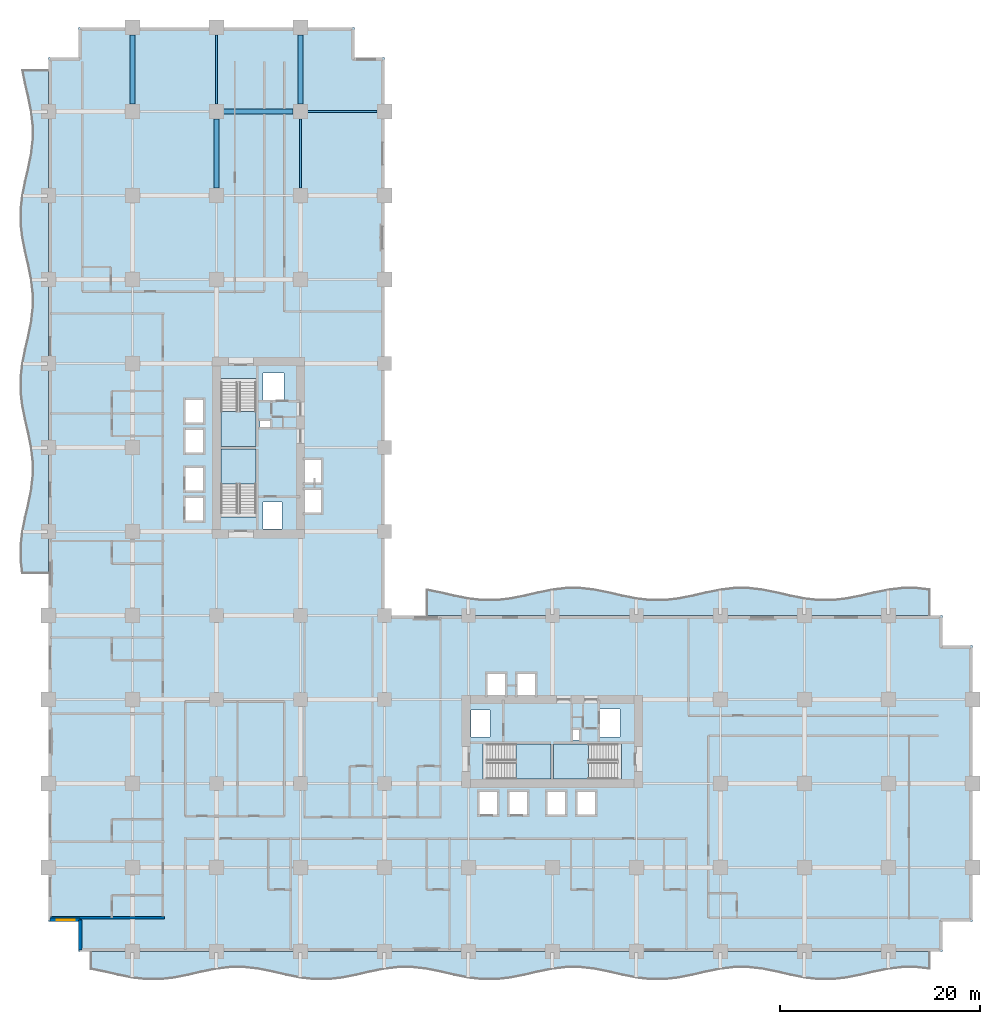
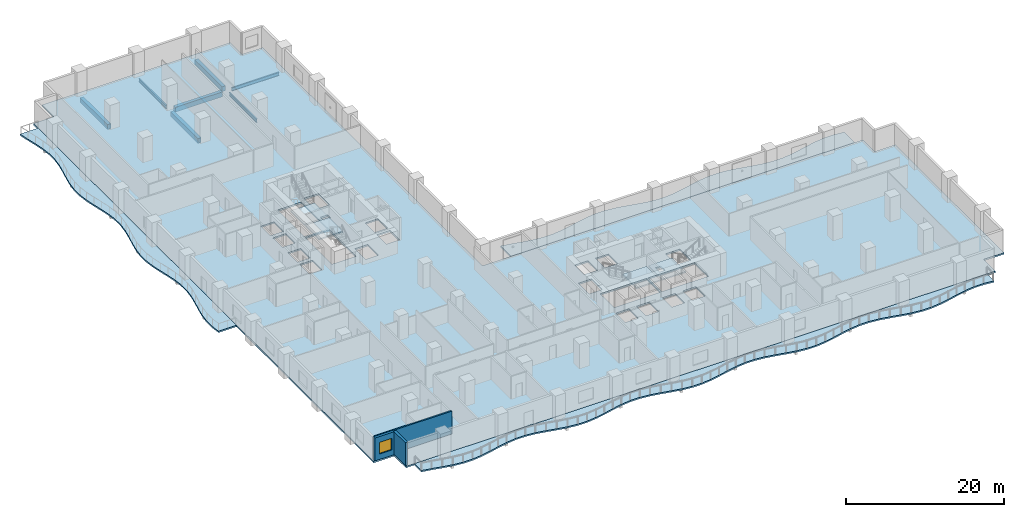
# One storey, part 3 of 20: 8 slabs, 7 beams, 3 walls, 1 window, 1 opening, 4 elements without a shape of their own.
"""IFC4 building model written with IfcOpenShell, lengths in metres."""

from ifc_helpers import new_model, si_unit, direction, frame, frame_2d, origin, origin_2d, place, context, subcontext, project, spatial, polyline, rectangle, i_section, outline, extrude, material, layer, layer_set, material_profile, profile_set, type_object, element, fill, aggregate, save


model = new_model("IFC4")

# Units and contexts
model_context = context("Model", 3, precision=1e-05, world=origin(), true_north=direction((0.0, 1.0)))
body_context = subcontext(model_context, "Body", "Model", "MODEL_VIEW")
ifc_project = project(units=[si_unit("LENGTHUNIT", "METRE"), si_unit("AREAUNIT", "SQUARE_METRE"), si_unit("VOLUMEUNIT", "CUBIC_METRE"), si_unit("PLANEANGLEUNIT", "RADIAN"), si_unit("MASSUNIT", "GRAM", prefix="KILO")], contexts=[model_context])

# Site, building, storey
site_placement = place(None, origin())
site = spatial("IfcSite", under=ifc_project, at=site_placement, CompositionType="ELEMENT")
building_placement = place(site_placement, origin())
building = spatial("IfcBuilding", under=site, at=building_placement, Name="Koriwani Terraces Tower", CompositionType="ELEMENT")
storey_placement = place(building_placement, frame((0.0, 0.0, 73.800048828125)))
storey = spatial("IfcBuildingStorey", under=building, at=storey_placement, Name="L17", CompositionType="ELEMENT", Elevation=73.800048828125)

# Beams
ifc_material_1 = material(Name="Concrete C50/60", Category="concrete")
ifc_material_profile_1 = material_profile(ifc_material_1, rectangle(XDim=0.5, YDim=0.75, at=origin_2d()), Name="Concrete C50/60", Category="LoadBearing")
ifc_profile_set_1 = profile_set([ifc_material_profile_1], Name="Concrete C50/60")
beam_type_1 = type_object("IfcBeamType", Name="BEAM_RC_GRID_500X750", PredefinedType="BEAM", material=ifc_profile_set_1)
for number, where, z_axis, x_axis, name in (
    (1, (17.530029296875, 84.0, -0.625), (1.0, 0.0, 0.0), (0.0, 1.0, 0.0), "L17 Grid Beam K (16.8-25.2m)"),
    (2, (8.39990234375, 84.72998046875, -0.625), (0.0, 1.0, 0.0), (-1.0, 0.0, 0.0), "L17 Grid Beam 2 (84.0-92.4m)"),
    (3, (16.800048828125, 76.330078125, -0.625), (0.0, 1.0, 0.0), (-1.0, 0.0, 0.0), "L17 Grid Beam 3 (75.6-84.0m)"),
    (4, (25.199951171875, 84.72998046875, -0.625), (0.0, 1.0, 0.0), (-1.0, 0.0, 0.0), "L17 Grid Beam 4 (84.0-92.4m)"),
):
    element("IfcBeam", number, at=place(storey_placement, frame(where, z_axis=z_axis, x_axis=x_axis)), inside=storey, type_object=beam_type_1, Name=name, PredefinedType="BEAM", context=body_context, shape_type="SweptSolid", body=[
        extrude(rectangle(XDim=0.5, YDim=0.75, at=origin_2d()), origin(), (0.0, 0.0, 1.0), 6.93994140625),
    ])
ifc_material_2 = material(Name="Steel ASTM A572 Grade 50", Category="steel")
ifc_material_profile_2 = material_profile(ifc_material_2, i_section(OverallWidth=0.2109375, OverallDepth=0.5390625, WebThickness=0.01171875, FlangeThickness=0.018798828125, at=origin_2d()), Name="Steel ASTM A572 Grade 50", Category="LoadBearing")
ifc_profile_set_2 = profile_set([ifc_material_profile_2], Name="Steel ASTM A572 Grade 50")
beam_type_2 = type_object("IfcBeamType", Name="STEEL_BEAM_W530X109", PredefinedType="BEAM", material=ifc_profile_set_2)
beam_placement = place(storey_placement, frame((25.929931640625, 84.0, -0.51953125), z_axis=(1.0, 0.0, 0.0), x_axis=(0.0, 1.0, 0.0)))
element("IfcBeam", 5, at=beam_placement, inside=storey, type_object=beam_type_2, Name="L17 Grid Beam K (25.2-33.6m)", PredefinedType="BEAM", context=body_context, shape_type="SweptSolid", body=[
    extrude(i_section(OverallWidth=0.2109375, OverallDepth=0.5390625, WebThickness=0.01171875, FlangeThickness=0.018798828125, at=origin_2d()), origin(), (0.0, 0.0, 1.0), 6.940185546875),
])
for number, where, z_axis, x_axis, name in (
    (6, (16.800048828125, 84.72998046875, -0.51953125), (0.0, 1.0, 0.0), (-1.0, 0.0, 0.0), "L17 Grid Beam 3 (84.0-92.4m)"),
    (7, (25.199951171875, 76.330078125, -0.51953125), (0.0, 1.0, 0.0), (-1.0, 0.0, 0.0), "L17 Grid Beam 4 (75.6-84.0m)"),
):
    element("IfcBeam", number, at=place(storey_placement, frame(where, z_axis=z_axis, x_axis=x_axis)), inside=storey, type_object=beam_type_2, Name=name, PredefinedType="BEAM", context=body_context, shape_type="SweptSolid", body=[
        extrude(i_section(OverallWidth=0.2109375, OverallDepth=0.5390625, WebThickness=0.01171875, FlangeThickness=0.018798828125, at=origin_2d()), origin(), (0.0, 0.0, 1.0), 6.93994140625),
    ])

# Slabs
ifc_material_3 = material(Name="Concrete C40/50", Category="concrete")
ifc_layer_1 = layer(ifc_material_3, 0.219970703125, Name="Concrete C40/50")
ifc_layer_set_1 = layer_set([ifc_layer_1], Name="Concrete C40/50")
slab_type_1 = type_object("IfcSlabType", Name="SLAB_BALCONY_220", PredefinedType="FLOOR", material=ifc_layer_set_1)
slab_1_placement = place(storey_placement, frame((0.0, 0.0, -0.219970703125)))
element("IfcSlab", 8, at=slab_1_placement, inside=storey, type_object=slab_type_1, Name="L17 Quilted Circular-Arc Balcony (S)", PredefinedType="FLOOR", context=body_context, shape_type="SweptSolid", body=[
    extrude(outline(polyline([(4.199951171875, 0.0), (5.60009765625, 0.0), (7.0, 0.0), (8.39990234375, 0.0), (9.800048828125, 0.0), (11.199951171875, 0.0), (12.60009765625, 0.0), (14.0, 0.0), (15.39990234375, 0.0), (16.800048828125, 0.0), (18.199951171875, 0.0), (19.60009765625, 0.0), (21.0, 0.0), (22.39990234375, 0.0), (23.800048828125, 0.0), (25.199951171875, 0.0), (26.60009765625, 0.0), (28.0, 0.0), (29.39990234375, 0.0), (30.800048828125, 0.0), (32.199951171875, 0.0), (33.60009765625, 0.0), (35.0, 0.0), (36.39990234375, 0.0), (37.800048828125, 0.0), (39.199951171875, 0.0), (40.60009765625, 0.0), (42.0, 0.0), (43.39990234375, 0.0), (44.800048828125, 0.0), (46.199951171875, 0.0), (47.60009765625, 0.0), (49.0, 0.0), (50.39990234375, 0.0), (51.800048828125, 0.0), (53.199951171875, 0.0), (54.60009765625, 0.0), (56.0, 0.0), (57.39990234375, 0.0), (58.800048828125, 0.0), (60.199951171875, 0.0), (61.60009765625, 0.0), (63.0, 0.0), (64.39990234375, 0.0), (65.800048828125, 0.0), (67.199951171875, 0.0), (68.60009765625, 0.0), (70.0, 0.0), (71.39990234375, 0.0), (72.800048828125, 0.0), (74.199951171875, 0.0), (75.60009765625, 0.0), (77.0, 0.0), (78.39990234375, 0.0), (79.800048828125, 0.0), (81.199951171875, 0.0), (82.60009765625, 0.0), (84.0, 0.0), (85.39990234375, 0.0), (86.800048828125, 0.0), (88.199951171875, 0.0), (88.199951171875, -1.783203125), (86.800048828125, -1.621337890625), (85.39990234375, -1.621337890625), (84.0, -1.783203125), (82.60009765625, -2.063232421875), (81.199951171875, -2.38671875), (79.800048828125, -2.6669921875), (78.39990234375, -2.82861328125), (77.0, -2.82861328125), (75.60009765625, -2.6669921875), (74.199951171875, -2.38671875), (72.800048828125, -2.063232421875), (71.39990234375, -1.783203125), (70.0, -1.621337890625), (68.60009765625, -1.621337890625), (67.199951171875, -1.783203125), (65.800048828125, -2.063232421875), (64.39990234375, -2.38671875), (63.0, -2.6669921875), (61.60009765625, -2.82861328125), (60.199951171875, -2.82861328125), (58.800048828125, -2.6669921875), (57.39990234375, -2.38671875), (56.0, -2.063232421875), (54.60009765625, -1.783203125), (53.199951171875, -1.621337890625), (51.800048828125, -1.621337890625), (50.39990234375, -1.783203125), (49.0, -2.063232421875), (47.60009765625, -2.38671875), (46.199951171875, -2.6669921875), (44.800048828125, -2.82861328125), (43.39990234375, -2.82861328125), (42.0, -2.6669921875), (40.60009765625, -2.38671875), (39.199951171875, -2.063232421875), (37.800048828125, -1.783203125), (36.39990234375, -1.621337890625), (35.0, -1.621337890625), (33.60009765625, -1.783203125), (32.199951171875, -2.063232421875), (30.800048828125, -2.38671875), (29.39990234375, -2.6669921875), (28.0, -2.82861328125), (26.60009765625, -2.82861328125), (25.199951171875, -2.6669921875), (23.800048828125, -2.38671875), (22.39990234375, -2.063232421875), (21.0, -1.783203125), (19.60009765625, -1.621337890625), (18.199951171875, -1.621337890625), (16.800048828125, -1.783203125), (15.39990234375, -2.063232421875), (14.0, -2.38671875), (12.60009765625, -2.6669921875), (11.199951171875, -2.82861328125), (9.800048828125, -2.82861328125), (8.39990234375, -2.6669921875), (7.0, -2.38671875), (5.60009765625, -2.063232421875), (4.199951171875, -1.783203125), (4.199951171875, 0.0)])), origin(), (0.0, 0.0, 1.0), 0.219970703125),
])
slab_2_placement = place(storey_placement, frame((0.0, 0.0, -0.219970703125)))
element("IfcSlab", 9, at=slab_2_placement, inside=storey, type_object=slab_type_1, Name="L17 Quilted Circular-Arc Balcony (W)", PredefinedType="FLOOR", context=body_context, shape_type="SweptSolid", body=[
    extrude(outline(polyline([(0.0, 37.800048828125), (0.0, 39.199951171875), (0.0, 40.60009765625), (0.0, 42.0), (0.0, 43.39990234375), (0.0, 44.800048828125), (0.0, 46.199951171875), (0.0, 47.60009765625), (0.0, 49.0), (0.0, 50.39990234375), (0.0, 51.800048828125), (0.0, 53.199951171875), (0.0, 54.60009765625), (0.0, 56.0), (0.0, 57.39990234375), (0.0, 58.800048828125), (0.0, 60.199951171875), (0.0, 61.60009765625), (0.0, 63.0), (0.0, 64.39990234375), (0.0, 65.800048828125), (0.0, 67.199951171875), (0.0, 68.60009765625), (0.0, 70.0), (0.0, 71.39990234375), (0.0, 72.800048828125), (0.0, 74.199951171875), (0.0, 75.60009765625), (0.0, 77.0), (0.0, 78.39990234375), (0.0, 79.800048828125), (0.0, 81.199951171875), (0.0, 82.60009765625), (0.0, 84.0), (0.0, 85.39990234375), (0.0, 86.800048828125), (0.0, 88.199951171875), (-2.6669921875, 88.199951171875), (-2.38671875, 86.800048828125), (-2.063232421875, 85.39990234375), (-1.783203125, 84.0), (-1.621337890625, 82.60009765625), (-1.621337890625, 81.199951171875), (-1.783203125, 79.800048828125), (-2.063232421875, 78.39990234375), (-2.38671875, 77.0), (-2.6669921875, 75.60009765625), (-2.82861328125, 74.199951171875), (-2.82861328125, 72.800048828125), (-2.6669921875, 71.39990234375), (-2.38671875, 70.0), (-2.063232421875, 68.60009765625), (-1.783203125, 67.199951171875), (-1.621337890625, 65.800048828125), (-1.621337890625, 64.39990234375), (-1.783203125, 63.0), (-2.063232421875, 61.60009765625), (-2.38671875, 60.199951171875), (-2.6669921875, 58.800048828125), (-2.82861328125, 57.39990234375), (-2.82861328125, 56.0), (-2.6669921875, 54.60009765625), (-2.38671875, 53.199951171875), (-2.063232421875, 51.800048828125), (-1.783203125, 50.39990234375), (-1.621337890625, 49.0), (-1.621337890625, 47.60009765625), (-1.783203125, 46.199951171875), (-2.063232421875, 44.800048828125), (-2.38671875, 43.39990234375), (-2.6669921875, 42.0), (-2.82861328125, 40.60009765625), (-2.82861328125, 39.199951171875), (-2.6669921875, 37.800048828125), (0.0, 37.800048828125)])), origin(), (0.0, 0.0, 1.0), 0.219970703125),
])
slab_3_placement = place(storey_placement, frame((0.0, 0.0, -0.219970703125)))
element("IfcSlab", 10, at=slab_3_placement, inside=storey, type_object=slab_type_1, Name="L17 Quilted Circular-Arc Balcony (NE)", PredefinedType="FLOOR", context=body_context, shape_type="SweptSolid", body=[
    extrude(outline(polyline([(88.199951171875, 33.60009765625), (86.800048828125, 33.60009765625), (85.39990234375, 33.60009765625), (84.0, 33.60009765625), (82.60009765625, 33.60009765625), (81.199951171875, 33.60009765625), (79.800048828125, 33.60009765625), (78.39990234375, 33.60009765625), (77.0, 33.60009765625), (75.60009765625, 33.60009765625), (74.199951171875, 33.60009765625), (72.800048828125, 33.60009765625), (71.39990234375, 33.60009765625), (70.0, 33.60009765625), (68.60009765625, 33.60009765625), (67.199951171875, 33.60009765625), (65.800048828125, 33.60009765625), (64.39990234375, 33.60009765625), (63.0, 33.60009765625), (61.60009765625, 33.60009765625), (60.199951171875, 33.60009765625), (58.800048828125, 33.60009765625), (57.39990234375, 33.60009765625), (56.0, 33.60009765625), (54.60009765625, 33.60009765625), (53.199951171875, 33.60009765625), (51.800048828125, 33.60009765625), (50.39990234375, 33.60009765625), (49.0, 33.60009765625), (47.60009765625, 33.60009765625), (46.199951171875, 33.60009765625), (44.800048828125, 33.60009765625), (43.39990234375, 33.60009765625), (42.0, 33.60009765625), (40.60009765625, 33.60009765625), (39.199951171875, 33.60009765625), (37.800048828125, 33.60009765625), (37.800048828125, 36.266845703125), (39.199951171875, 35.98681640625), (40.60009765625, 35.6630859375), (42.0, 35.383056640625), (43.39990234375, 35.22119140625), (44.800048828125, 35.22119140625), (46.199951171875, 35.383056640625), (47.60009765625, 35.6630859375), (49.0, 35.98681640625), (50.39990234375, 36.266845703125), (51.800048828125, 36.4287109375), (53.199951171875, 36.4287109375), (54.60009765625, 36.266845703125), (56.0, 35.98681640625), (57.39990234375, 35.6630859375), (58.800048828125, 35.383056640625), (60.199951171875, 35.22119140625), (61.60009765625, 35.22119140625), (63.0, 35.383056640625), (64.39990234375, 35.6630859375), (65.800048828125, 35.98681640625), (67.199951171875, 36.266845703125), (68.60009765625, 36.4287109375), (70.0, 36.4287109375), (71.39990234375, 36.266845703125), (72.800048828125, 35.98681640625), (74.199951171875, 35.6630859375), (75.60009765625, 35.383056640625), (77.0, 35.22119140625), (78.39990234375, 35.22119140625), (79.800048828125, 35.383056640625), (81.199951171875, 35.6630859375), (82.60009765625, 35.98681640625), (84.0, 36.266845703125), (85.39990234375, 36.4287109375), (86.800048828125, 36.4287109375), (88.199951171875, 36.266845703125), (88.199951171875, 33.60009765625)])), origin(), (0.0, 0.0, 1.0), 0.219970703125),
])

# Stair, slab
stair_type = type_object("IfcStairType", Name="STAIR_CORE_DOGLEG_1650", PredefinedType="TWO_STRAIGHT_RUN_STAIR", material=ifc_material_3)
stair_1_placement = place(storey_placement, origin())
stair_1 = element("IfcStair", 11, at=stair_1_placement, inside=storey, type_object=stair_type, Name="L17 West Core Exit Stair 1", PredefinedType="HALF_TURN_STAIR")
ifc_layer_2 = layer(ifc_material_3, 0.199951171875, Name="Concrete C40/50")
ifc_layer_set_2 = layer_set([ifc_layer_2], Name="Concrete C40/50")
slab_type_2 = type_object("IfcSlabType", Name="SLAB_STAIR_LANDING_200", PredefinedType="LANDING", material=ifc_layer_set_2)
slab_4_placement = place(storey_placement, frame((0.0, 0.0, 1.699951171875)))
slab_4 = element("IfcSlab", 12, at=slab_4_placement, type_object=slab_type_2, Name="ST-W1 landing 1", PredefinedType="LANDING", context=body_context, shape_type="SweptSolid", body=[
    extrude(outline(polyline([(20.75, 46.75), (20.75, 50.25), (17.25, 50.25), (17.25, 46.75), (20.75, 46.75)])), origin(), (0.0, 0.0, 1.0), 0.199951171875),
])
aggregate(stair_1, [slab_4])

stair_2_placement = place(storey_placement, origin())
stair_2 = element("IfcStair", 13, at=stair_2_placement, inside=storey, type_object=stair_type, Name="L17 West Core Exit Stair 2", PredefinedType="HALF_TURN_STAIR")
slab_5_placement = place(storey_placement, frame((0.0, 0.0, 1.699951171875)))
slab_5 = element("IfcSlab", 14, at=slab_5_placement, type_object=slab_type_2, Name="ST-W2 landing 1", PredefinedType="LANDING", context=body_context, shape_type="SweptSolid", body=[
    extrude(outline(polyline([(17.25, 54.0), (17.25, 50.5), (20.75, 50.5), (20.75, 54.0), (17.25, 54.0)])), origin(), (0.0, 0.0, 1.0), 0.199951171875),
])
aggregate(stair_2, [slab_5])

stair_3_placement = place(storey_placement, origin())
stair_3 = element("IfcStair", 15, at=stair_3_placement, inside=storey, type_object=stair_type, Name="L17 East Core Exit Stair 1", PredefinedType="HALF_TURN_STAIR")
slab_6_placement = place(storey_placement, frame((0.0, 0.0, 1.699951171875)))
slab_6 = element("IfcSlab", 16, at=slab_6_placement, type_object=slab_type_2, Name="ST-E1 landing 1", PredefinedType="LANDING", context=body_context, shape_type="SweptSolid", body=[
    extrude(outline(polyline([(46.75, 17.25), (50.25, 17.25), (50.25, 20.75), (46.75, 20.75), (46.75, 17.25)])), origin(), (0.0, 0.0, 1.0), 0.199951171875),
])
aggregate(stair_3, [slab_6])

stair_4_placement = place(storey_placement, origin())
stair_4 = element("IfcStair", 17, at=stair_4_placement, inside=storey, type_object=stair_type, Name="L17 East Core Exit Stair 2", PredefinedType="HALF_TURN_STAIR")
slab_7_placement = place(storey_placement, frame((0.0, 0.0, 1.699951171875)))
slab_7 = element("IfcSlab", 18, at=slab_7_placement, type_object=slab_type_2, Name="ST-E2 landing 1", PredefinedType="LANDING", context=body_context, shape_type="SweptSolid", body=[
    extrude(outline(polyline([(54.0, 20.75), (50.5, 20.75), (50.5, 17.25), (54.0, 17.25), (54.0, 20.75)])), origin(), (0.0, 0.0, 1.0), 0.199951171875),
])
aggregate(stair_4, [slab_7])

# Slab
ifc_layer_3 = layer(ifc_material_3, 0.25, Name="Concrete C40/50")
ifc_layer_set_3 = layer_set([ifc_layer_3], Name="Concrete C40/50")
slab_type_3 = type_object("IfcSlabType", Name="SLAB_TOWER_TYP_250", PredefinedType="FLOOR", material=ifc_layer_set_3)
slab_8_placement = place(storey_placement, frame((0.0, 0.0, -0.25)))
element("IfcSlab", 19, at=slab_8_placement, inside=storey, type_object=slab_type_3, Name="L17 Structural Floor Slab", PredefinedType="FLOOR", context=body_context, shape_type="SweptSolid", body=[
    extrude(outline(polyline([(3.0, 0.0), (89.39990234375, 0.0), (89.39990234375, 3.0), (92.39990234375, 3.0), (92.39990234375, 30.60009765625), (89.39990234375, 30.60009765625), (89.39990234375, 33.60009765625), (33.60009765625, 33.60009765625), (33.60009765625, 89.39990234375), (30.60009765625, 89.39990234375), (30.60009765625, 92.39990234375), (3.0, 92.39990234375), (3.0, 89.39990234375), (0.0, 89.39990234375), (0.0, 3.0), (3.0, 3.0), (3.0, 0.0)]), holes=[polyline([(17.25, 43.4599609375), (20.75, 43.4599609375), (20.75, 50.25), (17.25, 50.25), (17.25, 43.4599609375)]), polyline([(17.25, 50.5), (20.75, 50.5), (20.75, 57.2900390625), (17.25, 57.2900390625), (17.25, 50.5)]), polyline([(43.4599609375, 17.25), (50.25, 17.25), (50.25, 20.75), (43.4599609375, 20.75), (43.4599609375, 17.25)]), polyline([(50.5, 17.25), (57.2900390625, 17.25), (57.2900390625, 20.75), (50.5, 20.75), (50.5, 17.25)]), polyline([(13.64990234375, 43.050048828125), (15.550048828125, 43.050048828125), (15.550048828125, 45.449951171875), (13.64990234375, 45.449951171875), (13.64990234375, 43.050048828125)]), polyline([(13.64990234375, 46.050048828125), (15.550048828125, 46.050048828125), (15.550048828125, 48.449951171875), (13.64990234375, 48.449951171875), (13.64990234375, 46.050048828125)]), polyline([(43.050048828125, 13.64990234375), (44.949951171875, 13.64990234375), (44.949951171875, 16.050048828125), (43.050048828125, 16.050048828125), (43.050048828125, 13.64990234375)]), polyline([(46.050048828125, 13.64990234375), (47.949951171875, 13.64990234375), (47.949951171875, 16.050048828125), (46.050048828125, 16.050048828125), (46.050048828125, 13.64990234375)]), polyline([(13.64990234375, 49.85009765625), (15.550048828125, 49.85009765625), (15.550048828125, 52.25), (13.64990234375, 52.25), (13.64990234375, 49.85009765625)]), polyline([(13.64990234375, 52.85009765625), (15.550048828125, 52.85009765625), (15.550048828125, 55.25), (13.64990234375, 55.25), (13.64990234375, 52.85009765625)]), polyline([(49.85009765625, 13.64990234375), (51.75, 13.64990234375), (51.75, 16.050048828125), (49.85009765625, 16.050048828125), (49.85009765625, 13.64990234375)]), polyline([(52.85009765625, 13.64990234375), (54.75, 13.64990234375), (54.75, 16.050048828125), (52.85009765625, 16.050048828125), (52.85009765625, 13.64990234375)]), polyline([(25.449951171875, 43.85009765625), (27.35009765625, 43.85009765625), (27.35009765625, 46.25), (25.449951171875, 46.25), (25.449951171875, 43.85009765625)]), polyline([(25.449951171875, 46.85009765625), (27.35009765625, 46.85009765625), (27.35009765625, 49.25), (25.449951171875, 49.25), (25.449951171875, 46.85009765625)]), polyline([(43.85009765625, 25.449951171875), (45.75, 25.449951171875), (45.75, 27.85009765625), (43.85009765625, 27.85009765625), (43.85009765625, 25.449951171875)]), polyline([(46.85009765625, 25.449951171875), (48.75, 25.449951171875), (48.75, 27.85009765625), (46.85009765625, 27.85009765625), (46.85009765625, 25.449951171875)]), polyline([(21.449951171875, 55.050048828125), (23.550048828125, 55.050048828125), (23.550048828125, 57.85009765625), (21.449951171875, 57.85009765625), (21.449951171875, 55.050048828125)]), polyline([(55.050048828125, 21.449951171875), (57.14990234375, 21.449951171875), (57.14990234375, 24.25), (55.050048828125, 24.25), (55.050048828125, 21.449951171875)]), polyline([(21.449951171875, 42.25), (23.35009765625, 42.25), (23.35009765625, 44.949951171875), (21.449951171875, 44.949951171875), (21.449951171875, 42.25)]), polyline([(42.25, 21.449951171875), (44.14990234375, 21.449951171875), (44.14990234375, 24.14990234375), (42.25, 24.14990234375), (42.25, 21.449951171875)]), polyline([(21.14990234375, 52.419921875), (22.219970703125, 52.419921875), (22.219970703125, 53.179931640625), (21.14990234375, 53.179931640625), (21.14990234375, 52.419921875)]), polyline([(52.419921875, 21.14990234375), (53.179931640625, 21.14990234375), (53.179931640625, 22.219970703125), (52.419921875, 22.219970703125), (52.419921875, 21.14990234375)])]), origin(), (0.0, 0.0, 1.0), 0.25),
])

# Walls
ifc_material_4 = material(Name="Autoclaved Cellular Concrete Blockwork", Category="masonry")
ifc_layer_4 = layer(ifc_material_4, 0.219970703125, Name="Autoclaved Cellular Concrete Blockwork")
ifc_layer_set_4 = layer_set([ifc_layer_4], Name="Autoclaved Cellular Concrete Blockwork")
wall_type_1 = type_object("IfcWallType", Name="WALL_DEMISING_220", PredefinedType="PARTITIONING", material=ifc_layer_set_4)
wall_1_placement = place(storey_placement, frame((0.199951171875, 3.39990234375, 0.0), z_axis=(0.0, 0.0, 1.0), x_axis=(1.0, 0.0, 0.0)))
element("IfcWall", 20, at=wall_1_placement, inside=storey, type_object=wall_type_1, Name="L17 Interior Wall WDEM-L17-NW-0", PredefinedType="PARTITIONING", context=body_context, shape_type="SweptSolid", body=[
    extrude(rectangle(XDim=11.429931640625, YDim=0.219970703125, at=frame_2d((5.71484375, 0.0))), origin(), (0.0, 0.0, 1.0), 3.550048828125),
])
ifc_layer_5 = layer(ifc_material_1, 0.35009765625, Name="Concrete C50/60")
ifc_layer_set_5 = layer_set([ifc_layer_5], Name="Concrete C50/60")
wall_type_2 = type_object("IfcWallType", Name="WALL_EXT_BRUTALIST_350", PredefinedType="STANDARD", material=ifc_layer_set_5)
wall_2_placement = place(storey_placement, frame((3.175048828125, 0.175048828125, 0.0), z_axis=(0.0, 0.0, 1.0), x_axis=(0.0, 1.0, 0.0)))
element("IfcWall", 21, at=wall_2_placement, inside=storey, type_object=wall_type_2, Name="L17 Fair-Faced Brutalist Exterior Wall (N0)", PredefinedType="STANDARD", context=body_context, shape_type="SweptSolid", body=[
    extrude(rectangle(XDim=3.0, YDim=0.35009765625, at=frame_2d((1.5, 0.0))), origin(), (0.0, 0.0, 1.0), 3.550048828125),
])

# Wall, opening, window
wall_3_placement = place(storey_placement, frame((3.175048828125, 3.175048828125, 0.0), z_axis=(0.0, 0.0, 1.0), x_axis=(-1.0, 0.0, 0.0)))
wall_3 = element("IfcWall", 22, at=wall_3_placement, inside=storey, type_object=wall_type_2, Name="L17 Fair-Faced Brutalist Exterior Wall (N1)", PredefinedType="STANDARD", context=body_context, shape_type="SweptSolid", body=[
    extrude(rectangle(XDim=3.0, YDim=0.35009765625, at=frame_2d((1.5, 0.0))), origin(), (0.0, 0.0, 1.0), 3.550048828125),
])
opening_placement = place(wall_3_placement, frame((0.5224609375, 0.0, 0.85009765625)))
opening = element("IfcOpeningElement", 23, at=opening_placement, cuts=wall_3, Name="Opening W-04", PredefinedType="OPENING", context=body_context, shape_type="SweptSolid", body=[
    extrude(rectangle(XDim=1.800048828125, YDim=1.800048828125, at=frame_2d((0.89990234375, 0.89990234375))), frame((0.0, 0.18505859375, 0.0), z_axis=(0.0, -1.0, 0.0), x_axis=(1.0, 0.0, 0.0)), (0.0, 0.0, 1.0), 0.3701171875),
])
ifc_material_5 = material(Name="Tempered Laminated Low-E Glass", Category="glass")
window_type = type_object("IfcWindowType", Name="WIN_RES_BED_1800X1800", PartitioningType="DOUBLE_PANEL_VERTICAL", PredefinedType="WINDOW", material=ifc_material_5)
window_placement = place(opening_placement, origin())
window = element("IfcWindow", 24, at=window_placement, inside=storey, type_object=window_type, Name="L17 Exterior Window (N1-R36)", OverallHeight=1.800048828125, OverallWidth=1.800048828125, PartitioningType="SINGLE_PANEL", PredefinedType="WINDOW", context=body_context, shape_type="SweptSolid", body=[
    extrude(rectangle(XDim=1.800048828125, YDim=1.800048828125, at=frame_2d((0.89990234375, 0.89990234375))), frame((0.0, 0.030029296875, 0.0), z_axis=(0.0, -1.0, 0.0), x_axis=(1.0, 0.0, 0.0)), (0.0, 0.0, 1.0), 0.06005859375),
])
fill(opening, window)

save(model, "model.ifc")
